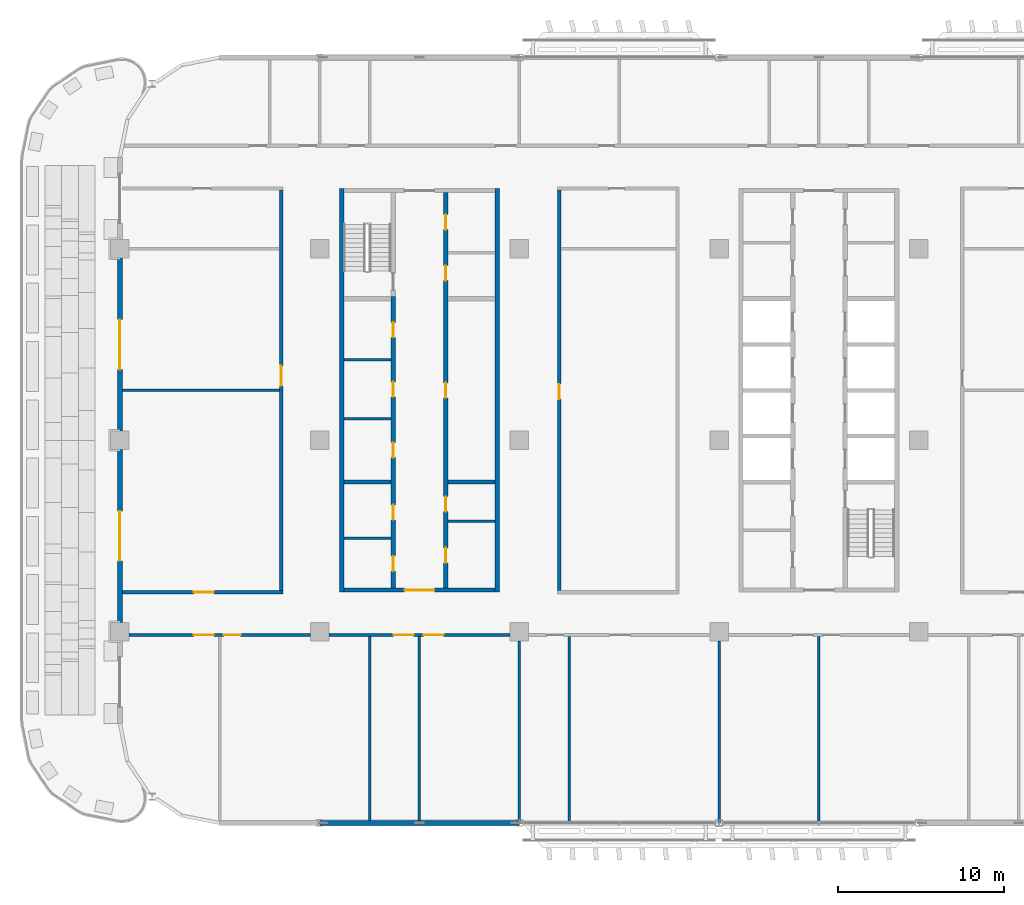
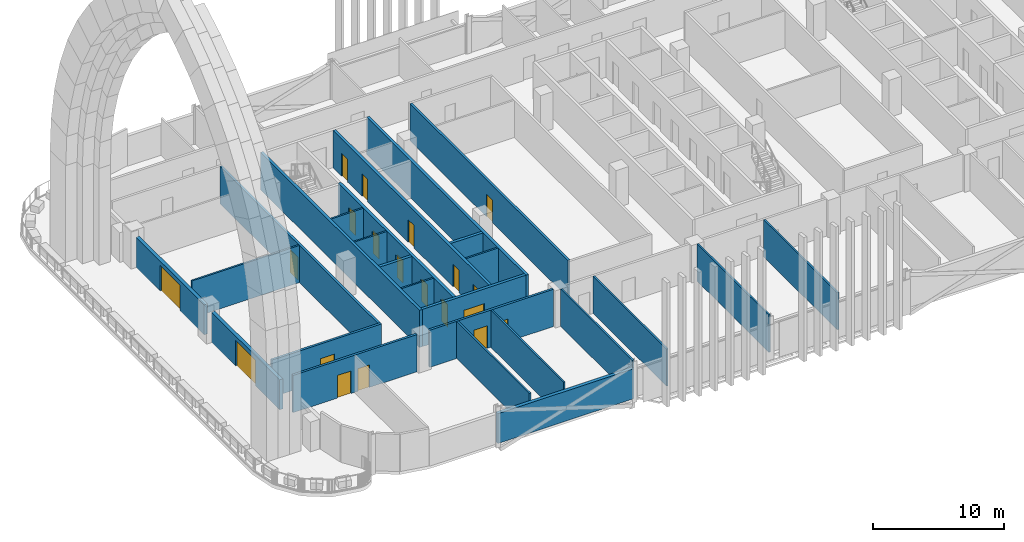
# One storey, part 9 of 28: 26 walls, 20 doors, 20 openings.
"""IFC4 building model written with IfcOpenShell, lengths in metres."""

from ifc_helpers import new_model, si_unit, direction, frame, frame_2d, origin, place, context, subcontext, project, spatial, rectangle, extrude, material, layer, layer_set, type_object, element, fill, save


model = new_model("IFC4")

# Units and contexts
model_context = context("Model", 3, precision=1e-05, world=origin(), true_north=direction((0.0, 1.0)))
body_context = subcontext(model_context, "Body", "Model", "MODEL_VIEW")
ifc_project = project(units=[si_unit("LENGTHUNIT", "METRE"), si_unit("AREAUNIT", "SQUARE_METRE"), si_unit("VOLUMEUNIT", "CUBIC_METRE"), si_unit("PLANEANGLEUNIT", "RADIAN"), si_unit("MASSUNIT", "GRAM", prefix="KILO")], contexts=[model_context])

# Site, building, storey
site_placement = place(None, origin())
site = spatial("IfcSite", under=ifc_project, at=site_placement, CompositionType="ELEMENT")
building_placement = place(site_placement, origin())
building = spatial("IfcBuilding", under=site, at=building_placement, Name="Mahtab Terrace Research Tower", CompositionType="ELEMENT")
storey_placement = place(building_placement, frame((0.0, 0.0, 193.89990234375)))
storey = spatial("IfcBuildingStorey", under=building, at=storey_placement, Name="L46", CompositionType="ELEMENT", Elevation=193.89990234375)

# Walls
ifc_material_1 = material(Name="Gypsum board partition")
ifc_layer_1 = layer(ifc_material_1, 0.14990234375)
ifc_layer_set_1 = layer_set([ifc_layer_1], Name="Core partition 150")
wall_type_1 = type_object("IfcWallType", Name="Core partition 150", PredefinedType="PARTITIONING", material=ifc_layer_set_1)
for number, where, z_axis, x_axis, name in (
    (1, (-28.550048828125, 1.280029296875, 0.0), (0.0, 0.0, 1.0), (1.0, 0.0, 0.0), "Core wall A pWL-172"),
    (2, (-28.550048828125, 4.827392578125, 0.0), (0.0, 0.0, 1.0), (1.0, 0.0, 0.0), "Core wall A pWL183"),
    (3, (-28.550048828125, -5.875, 0.0), (0.0, 0.0, 1.0), (1.0, 0.0, 0.0), "Core wall A pWS-888"),
    (4, (-22.300048828125, -4.875, 0.0), (0.0, 0.0, 1.0), (1.0, 0.0, 0.0), "Core wall A pES-788"),
):
    element("IfcWall", number, at=place(storey_placement, frame(where, z_axis=z_axis, x_axis=x_axis)), inside=storey, type_object=wall_type_1, Name=name, PredefinedType="PARTITIONING", context=body_context, shape_type="SweptSolid", body=[
        extrude(rectangle(XDim=2.85009765625, YDim=0.14990234375, at=frame_2d((1.425048828125, 0.0))), origin(), (0.0, 0.0, 1.0), 3.460205078125),
    ])
ifc_material_2 = material(Name="Concrete C70/85", Category="concrete")
ifc_layer_2 = layer(ifc_material_2, 0.25)
ifc_layer_set_2 = layer_set([ifc_layer_2], Name="Core wall 250")
wall_type_2 = type_object("IfcWallType", Name="Core wall 250", PredefinedType="SOLIDWALL", material=ifc_layer_set_2)
for number, where, z_axis, x_axis, name in (
    (5, (-28.675048828125, 15.125, 0.0), (0.0, 0.0, 1.0), (0.0, -1.0, 0.0), "Core wall A outerW"),
    (6, (-19.324951171875, -9.125, 0.0), (0.0, 0.0, 1.0), (0.0, 1.0, 0.0), "Core wall A outerE"),
):
    element("IfcWall", number, at=place(storey_placement, frame(where, z_axis=z_axis, x_axis=x_axis)), inside=storey, type_object=wall_type_2, Name=name, PredefinedType="SOLIDWALL", context=body_context, shape_type="SweptSolid", body=[
        extrude(rectangle(XDim=24.25, YDim=0.25, at=frame_2d((12.125, 0.0))), origin(), (0.0, 0.0, 1.0), 3.460205078125),
    ])

# Wall, opening, door
wall_1_placement = place(storey_placement, frame((-19.449951171875, -9.0, 0.0), z_axis=(0.0, 0.0, 1.0), x_axis=(-1.0, 0.0, 0.0)))
wall_1 = element("IfcWall", 7, at=wall_1_placement, inside=storey, type_object=wall_type_2, Name="Core wall A endS", PredefinedType="SOLIDWALL", context=body_context, shape_type="SweptSolid", body=[
    extrude(rectangle(XDim=9.10009765625, YDim=0.25, at=frame_2d((4.550048828125, 0.0))), origin(), (0.0, 0.0, 1.0), 3.460205078125),
])
opening_1_placement = place(wall_1_placement, frame((3.64990234375, 0.0, 0.0)))
opening_1 = element("IfcOpeningElement", 8, at=opening_1_placement, cuts=wall_1, Name="Opening A-S1", PredefinedType="OPENING", context=body_context, shape_type="SweptSolid", body=[
    extrude(rectangle(XDim=1.800048828125, YDim=2.10009765625, at=frame_2d((0.89990234375, 1.050048828125))), frame((0.0, 0.135009765625, 0.0), z_axis=(0.0, -1.0, 0.0), x_axis=(1.0, 0.0, 0.0)), (0.0, 0.0, 1.0), 0.27001953125),
])
ifc_material_3 = material(Name="Steel fire door", Category="steel")
door_type_1 = type_object("IfcDoorType", Name="Lobby double door 1800x2100 1 HR", OperationType="DOUBLE_DOOR_SINGLE_SWING", PredefinedType="DOOR", material=ifc_material_3)
door_1_placement = place(opening_1_placement, origin())
door_1 = element("IfcDoor", 9, at=door_1_placement, inside=storey, type_object=door_type_1, Name="Core entrance door A S", OperationType="DOUBLE_DOOR_SINGLE_SWING", OverallHeight=2.10009765625, OverallWidth=1.800048828125, PredefinedType="DOOR", context=body_context, shape_type="SweptSolid", body=[
    extrude(rectangle(XDim=1.800048828125, YDim=2.10009765625, at=frame_2d((0.89990234375, 1.050048828125))), frame((0.0, 0.02490234375, 0.0), z_axis=(0.0, -1.0, 0.0), x_axis=(1.0, 0.0, 0.0)), (0.0, 0.0, 1.0), 0.050048828125),
])
fill(opening_1, door_1)

# Wall, openings, doors
wall_2_placement = place(storey_placement, frame((-25.574951171875, -8.875, 0.0), z_axis=(0.0, 0.0, 1.0), x_axis=(0.0, 1.0, 0.0)))
wall_2 = element("IfcWall", 10, at=wall_2_placement, inside=storey, type_object=wall_type_2, Name="Core wall A innerWSL", PredefinedType="SOLIDWALL", context=body_context, shape_type="SweptSolid", body=[
    extrude(rectangle(XDim=17.5, YDim=0.25, at=frame_2d((8.75, 0.0))), origin(), (0.0, 0.0, 1.0), 3.460205078125),
])
opening_2_placement = place(wall_2_placement, frame((7.840087890625, 0.0, 0.0)))
opening_2 = element("IfcOpeningElement", 11, at=opening_2_placement, cuts=wall_2, Name="Opening A-R1", PredefinedType="OPENING", context=body_context, shape_type="SweptSolid", body=[
    extrude(rectangle(XDim=0.89990234375, YDim=2.10009765625, at=frame_2d((0.449951171875, 1.050048828125))), frame((0.0, 0.135009765625, 0.0), z_axis=(0.0, -1.0, 0.0), x_axis=(1.0, 0.0, 0.0)), (0.0, 0.0, 1.0), 0.27001953125),
])
opening_3_placement = place(wall_2_placement, frame((11.478759765625, 0.0, 0.0)))
opening_3 = element("IfcOpeningElement", 12, at=opening_3_placement, cuts=wall_2, Name="Opening A-R2", PredefinedType="OPENING", context=body_context, shape_type="SweptSolid", body=[
    extrude(rectangle(XDim=0.89990234375, YDim=2.10009765625, at=frame_2d((0.449951171875, 1.050048828125))), frame((0.0, 0.135009765625, 0.0), z_axis=(0.0, -1.0, 0.0), x_axis=(1.0, 0.0, 0.0)), (0.0, 0.0, 1.0), 0.27001953125),
])
opening_4_placement = place(wall_2_placement, frame((15.063720703125, 0.0, 0.0)))
opening_4 = element("IfcOpeningElement", 13, at=opening_4_placement, cuts=wall_2, Name="Opening A-R3", PredefinedType="OPENING", context=body_context, shape_type="SweptSolid", body=[
    extrude(rectangle(XDim=0.89990234375, YDim=2.10009765625, at=frame_2d((0.449951171875, 1.050048828125))), frame((0.0, 0.135009765625, 0.0), z_axis=(0.0, -1.0, 0.0), x_axis=(1.0, 0.0, 0.0)), (0.0, 0.0, 1.0), 0.27001953125),
])
opening_5_placement = place(wall_2_placement, frame((1.012451171875, 0.0, 0.0)))
opening_5 = element("IfcOpeningElement", 14, at=opening_5_placement, cuts=wall_2, Name="Opening A-R5", PredefinedType="OPENING", context=body_context, shape_type="SweptSolid", body=[
    extrude(rectangle(XDim=0.89990234375, YDim=2.10009765625, at=frame_2d((0.449951171875, 1.050048828125))), frame((0.0, 0.135009765625, 0.0), z_axis=(0.0, -1.0, 0.0), x_axis=(1.0, 0.0, 0.0)), (0.0, 0.0, 1.0), 0.27001953125),
])
opening_6_placement = place(wall_2_placement, frame((4.08740234375, 0.0, 0.0)))
opening_6 = element("IfcOpeningElement", 15, at=opening_6_placement, cuts=wall_2, Name="Opening A-R6", PredefinedType="OPENING", context=body_context, shape_type="SweptSolid", body=[
    extrude(rectangle(XDim=0.89990234375, YDim=2.10009765625, at=frame_2d((0.449951171875, 1.050048828125))), frame((0.0, 0.135009765625, 0.0), z_axis=(0.0, -1.0, 0.0), x_axis=(1.0, 0.0, 0.0)), (0.0, 0.0, 1.0), 0.27001953125),
])
door_type_2 = type_object("IfcDoorType", Name="Room door 900x2100 1 HR", OperationType="NOTDEFINED", PredefinedType="DOOR", material=ifc_material_3)
door_2_placement = place(opening_2_placement, origin())
door_2 = element("IfcDoor", 16, at=door_2_placement, inside=storey, type_object=door_type_2, Name="Battery room door", OperationType="SINGLE_SWING_LEFT", OverallHeight=2.10009765625, OverallWidth=0.89990234375, PredefinedType="DOOR", context=body_context, shape_type="SweptSolid", body=[
    extrude(rectangle(XDim=0.89990234375, YDim=2.10009765625, at=frame_2d((0.449951171875, 1.050048828125))), frame((0.0, 0.02490234375, 0.0), z_axis=(0.0, -1.0, 0.0), x_axis=(1.0, 0.0, 0.0)), (0.0, 0.0, 1.0), 0.050048828125),
])
fill(opening_2, door_2)
door_3_placement = place(opening_3_placement, origin())
door_3 = element("IfcDoor", 17, at=door_3_placement, inside=storey, type_object=door_type_2, Name="Cooling plant room door", OperationType="SINGLE_SWING_RIGHT", OverallHeight=2.10009765625, OverallWidth=0.89990234375, PredefinedType="DOOR", context=body_context, shape_type="SweptSolid", body=[
    extrude(rectangle(XDim=0.89990234375, YDim=2.10009765625, at=frame_2d((0.449951171875, 1.050048828125))), frame((0.0, 0.02490234375, 0.0), z_axis=(0.0, -1.0, 0.0), x_axis=(1.0, 0.0, 0.0)), (0.0, 0.0, 1.0), 0.050048828125),
])
fill(opening_3, door_3)
door_4_placement = place(opening_4_placement, origin())
door_4 = element("IfcDoor", 18, at=door_4_placement, inside=storey, type_object=door_type_2, Name="Spare parts store door", OperationType="SINGLE_SWING_LEFT", OverallHeight=2.10009765625, OverallWidth=0.89990234375, PredefinedType="DOOR", context=body_context, shape_type="SweptSolid", body=[
    extrude(rectangle(XDim=0.89990234375, YDim=2.10009765625, at=frame_2d((0.449951171875, 1.050048828125))), frame((0.0, 0.02490234375, 0.0), z_axis=(0.0, -1.0, 0.0), x_axis=(1.0, 0.0, 0.0)), (0.0, 0.0, 1.0), 0.050048828125),
])
fill(opening_4, door_4)
door_5_placement = place(opening_5_placement, origin())
door_5 = element("IfcDoor", 19, at=door_5_placement, inside=storey, type_object=door_type_2, Name="Staff WC door", OperationType="SINGLE_SWING_LEFT", OverallHeight=2.10009765625, OverallWidth=0.89990234375, PredefinedType="DOOR", context=body_context, shape_type="SweptSolid", body=[
    extrude(rectangle(XDim=0.89990234375, YDim=2.10009765625, at=frame_2d((0.449951171875, 1.050048828125))), frame((0.0, 0.02490234375, 0.0), z_axis=(0.0, -1.0, 0.0), x_axis=(1.0, 0.0, 0.0)), (0.0, 0.0, 1.0), 0.050048828125),
])
fill(opening_5, door_5)
door_6_placement = place(opening_6_placement, origin())
door_6 = element("IfcDoor", 20, at=door_6_placement, inside=storey, type_object=door_type_2, Name="Accessible WC door", OperationType="SINGLE_SWING_RIGHT", OverallHeight=2.10009765625, OverallWidth=0.89990234375, PredefinedType="DOOR", context=body_context, shape_type="SweptSolid", body=[
    extrude(rectangle(XDim=0.89990234375, YDim=2.10009765625, at=frame_2d((0.449951171875, 1.050048828125))), frame((0.0, 0.02490234375, 0.0), z_axis=(0.0, -1.0, 0.0), x_axis=(1.0, 0.0, 0.0)), (0.0, 0.0, 1.0), 0.050048828125),
])
fill(opening_6, door_6)

wall_3_placement = place(storey_placement, frame((-22.425048828125, 14.875, 0.0), z_axis=(0.0, 0.0, 1.0), x_axis=(0.0, -1.0, 0.0)))
wall_3 = element("IfcWall", 21, at=wall_3_placement, inside=storey, type_object=wall_type_2, Name="Core wall A innerESLN", PredefinedType="SOLIDWALL", context=body_context, shape_type="SweptSolid", body=[
    extrude(rectangle(XDim=23.75, YDim=0.25, at=frame_2d((11.875, 0.0))), origin(), (0.0, 0.0, 1.0), 3.460205078125),
])
opening_7_placement = place(wall_3_placement, frame((11.425048828125, 0.0, 0.0)))
opening_7 = element("IfcOpeningElement", 22, at=opening_7_placement, cuts=wall_3, Name="Opening A-R4", PredefinedType="OPENING", context=body_context, shape_type="SweptSolid", body=[
    extrude(rectangle(XDim=0.89990234375, YDim=2.10009765625, at=frame_2d((0.449951171875, 1.050048828125))), frame((0.0, 0.135009765625, 0.0), z_axis=(0.0, -1.0, 0.0), x_axis=(1.0, 0.0, 0.0)), (0.0, 0.0, 1.0), 0.27001953125),
])
opening_8_placement = place(wall_3_placement, frame((21.33740234375, 0.0, 0.0)))
opening_8 = element("IfcOpeningElement", 23, at=opening_8_placement, cuts=wall_3, Name="Opening A-R7", PredefinedType="OPENING", context=body_context, shape_type="SweptSolid", body=[
    extrude(rectangle(XDim=0.89990234375, YDim=2.10009765625, at=frame_2d((0.449951171875, 1.050048828125))), frame((0.0, 0.135009765625, 0.0), z_axis=(0.0, -1.0, 0.0), x_axis=(1.0, 0.0, 0.0)), (0.0, 0.0, 1.0), 0.27001953125),
])
opening_9_placement = place(wall_3_placement, frame((18.262451171875, 0.0, 0.0)))
opening_9 = element("IfcOpeningElement", 24, at=opening_9_placement, cuts=wall_3, Name="Opening A-R8", PredefinedType="OPENING", context=body_context, shape_type="SweptSolid", body=[
    extrude(rectangle(XDim=0.89990234375, YDim=2.10009765625, at=frame_2d((0.449951171875, 1.050048828125))), frame((0.0, 0.135009765625, 0.0), z_axis=(0.0, -1.0, 0.0), x_axis=(1.0, 0.0, 0.0)), (0.0, 0.0, 1.0), 0.27001953125),
])
opening_10_placement = place(wall_3_placement, frame((4.387451171875, 0.0, 0.0)))
opening_10 = element("IfcOpeningElement", 25, at=opening_10_placement, cuts=wall_3, Name="Opening A-R9", PredefinedType="OPENING", context=body_context, shape_type="SweptSolid", body=[
    extrude(rectangle(XDim=0.89990234375, YDim=2.10009765625, at=frame_2d((0.449951171875, 1.050048828125))), frame((0.0, 0.135009765625, 0.0), z_axis=(0.0, -1.0, 0.0), x_axis=(1.0, 0.0, 0.0)), (0.0, 0.0, 1.0), 0.27001953125),
])
opening_11_placement = place(wall_3_placement, frame((1.3125, 0.0, 0.0)))
opening_11 = element("IfcOpeningElement", 26, at=opening_11_placement, cuts=wall_3, Name="Opening A-R10", PredefinedType="OPENING", context=body_context, shape_type="SweptSolid", body=[
    extrude(rectangle(XDim=0.89990234375, YDim=2.10009765625, at=frame_2d((0.449951171875, 1.050048828125))), frame((0.0, 0.135009765625, 0.0), z_axis=(0.0, -1.0, 0.0), x_axis=(1.0, 0.0, 0.0)), (0.0, 0.0, 1.0), 0.27001953125),
])
door_7_placement = place(opening_7_placement, origin())
door_7 = element("IfcDoor", 27, at=door_7_placement, inside=storey, type_object=door_type_2, Name="Plant room door", OperationType="SINGLE_SWING_RIGHT", OverallHeight=2.10009765625, OverallWidth=0.89990234375, PredefinedType="DOOR", context=body_context, shape_type="SweptSolid", body=[
    extrude(rectangle(XDim=0.89990234375, YDim=2.10009765625, at=frame_2d((0.449951171875, 1.050048828125))), frame((0.0, 0.02490234375, 0.0), z_axis=(0.0, -1.0, 0.0), x_axis=(1.0, 0.0, 0.0)), (0.0, 0.0, 1.0), 0.050048828125),
])
fill(opening_7, door_7)
door_8_placement = place(opening_8_placement, origin())
door_8 = element("IfcDoor", 28, at=door_8_placement, inside=storey, type_object=door_type_2, Name="IT equipment room door", OperationType="SINGLE_SWING_LEFT", OverallHeight=2.10009765625, OverallWidth=0.89990234375, PredefinedType="DOOR", context=body_context, shape_type="SweptSolid", body=[
    extrude(rectangle(XDim=0.89990234375, YDim=2.10009765625, at=frame_2d((0.449951171875, 1.050048828125))), frame((0.0, 0.02490234375, 0.0), z_axis=(0.0, -1.0, 0.0), x_axis=(1.0, 0.0, 0.0)), (0.0, 0.0, 1.0), 0.050048828125),
])
fill(opening_8, door_8)
door_9_placement = place(opening_9_placement, origin())
door_9 = element("IfcDoor", 29, at=door_9_placement, inside=storey, type_object=door_type_2, Name="Electrical riser room door", OperationType="SINGLE_SWING_RIGHT", OverallHeight=2.10009765625, OverallWidth=0.89990234375, PredefinedType="DOOR", context=body_context, shape_type="SweptSolid", body=[
    extrude(rectangle(XDim=0.89990234375, YDim=2.10009765625, at=frame_2d((0.449951171875, 1.050048828125))), frame((0.0, 0.02490234375, 0.0), z_axis=(0.0, -1.0, 0.0), x_axis=(1.0, 0.0, 0.0)), (0.0, 0.0, 1.0), 0.050048828125),
])
fill(opening_9, door_9)
door_10_placement = place(opening_10_placement, origin())
door_10 = element("IfcDoor", 30, at=door_10_placement, inside=storey, type_object=door_type_2, Name="Mechanical riser room door", OperationType="SINGLE_SWING_LEFT", OverallHeight=2.10009765625, OverallWidth=0.89990234375, PredefinedType="DOOR", context=body_context, shape_type="SweptSolid", body=[
    extrude(rectangle(XDim=0.89990234375, YDim=2.10009765625, at=frame_2d((0.449951171875, 1.050048828125))), frame((0.0, 0.02490234375, 0.0), z_axis=(0.0, -1.0, 0.0), x_axis=(1.0, 0.0, 0.0)), (0.0, 0.0, 1.0), 0.050048828125),
])
fill(opening_10, door_10)
door_11_placement = place(opening_11_placement, origin())
door_11 = element("IfcDoor", 31, at=door_11_placement, inside=storey, type_object=door_type_2, Name="Chemical store door", OperationType="SINGLE_SWING_RIGHT", OverallHeight=2.10009765625, OverallWidth=0.89990234375, PredefinedType="DOOR", context=body_context, shape_type="SweptSolid", body=[
    extrude(rectangle(XDim=0.89990234375, YDim=2.10009765625, at=frame_2d((0.449951171875, 1.050048828125))), frame((0.0, 0.02490234375, 0.0), z_axis=(0.0, -1.0, 0.0), x_axis=(1.0, 0.0, 0.0)), (0.0, 0.0, 1.0), 0.050048828125),
])
fill(opening_11, door_11)

# Walls
for number, where, z_axis, x_axis, name in (
    (32, (-28.550048828125, -2.5, 0.0), (0.0, 0.0, 1.0), (1.0, 0.0, 0.0), "Core wall A divW0"),
    (33, (-22.300048828125, -2.5, 0.0), (0.0, 0.0, 1.0), (1.0, 0.0, 0.0), "Core wall A divE0"),
):
    element("IfcWall", number, at=place(storey_placement, frame(where, z_axis=z_axis, x_axis=x_axis)), inside=storey, type_object=wall_type_2, Name=name, PredefinedType="SOLIDWALL", context=body_context, shape_type="SweptSolid", body=[
        extrude(rectangle(XDim=2.85009765625, YDim=0.25, at=frame_2d((1.425048828125, 0.0))), origin(), (0.0, 0.0, 1.0), 3.460205078125),
    ])

# Wall, opening, door
ifc_material_4 = material(Name="Black aluminium cladding panel", Category="aluminium")
ifc_layer_3 = layer(ifc_material_4, 0.300048828125)
ifc_layer_set_3 = layer_set([ifc_layer_3], Name="Opaque facade wall 300")
wall_type_3 = type_object("IfcWallType", Name="Opaque facade wall 300", PredefinedType="NOTDEFINED", material=ifc_layer_set_3)
wall_4_placement = place(storey_placement, frame((-42.0, 10.949951171875, 0.0), z_axis=(0.0, 0.0, 1.0), x_axis=(0.0, -1.0, 0.0)))
wall_4 = element("IfcWall", 34, at=wall_4_placement, inside=storey, type_object=wall_type_3, Name="Opaque facade wall L46 W16", PredefinedType="NOTDEFINED", context=body_context, shape_type="SweptSolid", body=[
    extrude(rectangle(XDim=10.39990234375, YDim=0.300048828125, at=frame_2d((5.199951171875, 0.0))), origin(), (0.0, 0.0, 1.0), 2.781982421875),
])
opening_12_placement = place(wall_4_placement, frame((3.699951171875, 0.0, 0.0)))
opening_12 = element("IfcOpeningElement", 35, at=opening_12_placement, cuts=wall_4, Name="Opening ED1", PredefinedType="OPENING", context=body_context, shape_type="SweptSolid", body=[
    extrude(rectangle(XDim=3.0, YDim=2.39990234375, at=frame_2d((1.5, 1.199951171875))), frame((0.0, 0.159912109375, 0.0), z_axis=(0.0, -1.0, 0.0), x_axis=(1.0, 0.0, 0.0)), (0.0, 0.0, 1.0), 0.320068359375),
])
ifc_material_5 = material(Name="Black anodised aluminium", Category="aluminium")
door_type_3 = type_object("IfcDoorType", Name="Terrace double door 3000x2400", OperationType="DOUBLE_DOOR_DOUBLE_SWING", PredefinedType="DOOR", material=ifc_material_5)
door_12_placement = place(opening_12_placement, origin())
door_12 = element("IfcDoor", 36, at=door_12_placement, inside=storey, type_object=door_type_3, Name="Terrace door L46 W", OperationType="SINGLE_SWING_LEFT", OverallHeight=2.39990234375, OverallWidth=3.0, PredefinedType="DOOR", context=body_context, shape_type="SweptSolid", body=[
    extrude(rectangle(XDim=3.0, YDim=2.39990234375, at=frame_2d((1.5, 1.199951171875))), frame((0.0, 0.02490234375, 0.0), z_axis=(0.0, -1.0, 0.0), x_axis=(1.0, 0.0, 0.0)), (0.0, 0.0, 1.0), 0.050048828125),
])
fill(opening_12, door_12)

wall_5_placement = place(storey_placement, frame((-42.0, -0.550048828125, 0.0), z_axis=(0.0, 0.0, 1.0), x_axis=(0.0, -1.0, 0.0)))
wall_5 = element("IfcWall", 37, at=wall_5_placement, inside=storey, type_object=wall_type_3, Name="Opaque facade wall L46 W17", PredefinedType="NOTDEFINED", context=body_context, shape_type="SweptSolid", body=[
    extrude(rectangle(XDim=10.39990234375, YDim=0.300048828125, at=frame_2d((5.199951171875, 0.0))), origin(), (0.0, 0.0, 1.0), 2.781982421875),
])
opening_13_placement = place(wall_5_placement, frame((3.699951171875, 0.0, 0.0)))
opening_13 = element("IfcOpeningElement", 38, at=opening_13_placement, cuts=wall_5, Name="Opening ED1", PredefinedType="OPENING", context=body_context, shape_type="SweptSolid", body=[
    extrude(rectangle(XDim=3.0, YDim=2.39990234375, at=frame_2d((1.5, 1.199951171875))), frame((0.0, 0.159912109375, 0.0), z_axis=(0.0, -1.0, 0.0), x_axis=(1.0, 0.0, 0.0)), (0.0, 0.0, 1.0), 0.320068359375),
])
door_13_placement = place(opening_13_placement, origin())
door_13 = element("IfcDoor", 39, at=door_13_placement, inside=storey, type_object=door_type_3, Name="Terrace door L46 W", OperationType="SINGLE_SWING_LEFT", OverallHeight=2.39990234375, OverallWidth=3.0, PredefinedType="DOOR", context=body_context, shape_type="SweptSolid", body=[
    extrude(rectangle(XDim=3.0, YDim=2.39990234375, at=frame_2d((1.5, 1.199951171875))), frame((0.0, 0.02490234375, 0.0), z_axis=(0.0, -1.0, 0.0), x_axis=(1.0, 0.0, 0.0)), (0.0, 0.0, 1.0), 0.050048828125),
])
fill(opening_13, door_13)

# Wall
wall_6_placement = place(storey_placement, frame((-29.987548828125, -23.0, 0.0), z_axis=(0.0, 0.0, 1.0), x_axis=(1.0, 0.0, 0.0)))
element("IfcWall", 40, at=wall_6_placement, inside=storey, type_object=wall_type_3, Name="Opaque facade wall L46 S24", PredefinedType="NOTDEFINED", context=body_context, shape_type="SweptSolid", body=[
    extrude(rectangle(XDim=11.97509765625, YDim=0.300048828125, at=frame_2d((5.987548828125, 0.0))), origin(), (0.0, 0.0, 1.0), 2.781982421875),
])

# Wall, openings, doors
ifc_material_6 = material(Name="Gypsum board corridor wall on steel studs", Category="steel")
ifc_layer_4 = layer(ifc_material_6, 0.199951171875)
ifc_layer_set_4 = layer_set([ifc_layer_4], Name="WALL CORRIDOR 200")
wall_type_4 = type_object("IfcWallType", Name="WALL CORRIDOR 200", PredefinedType="PARTITIONING", material=ifc_layer_set_4)
wall_7_placement = place(storey_placement, frame((-41.449951171875, -11.699951171875, 0.0), z_axis=(0.0, 0.0, 1.0), x_axis=(1.0, 0.0, 0.0)))
wall_7 = element("IfcWall", 41, at=wall_7_placement, inside=storey, type_object=wall_type_4, Name="L46-W001", PredefinedType="PARTITIONING", context=body_context, shape_type="SweptSolid", body=[
    extrude(rectangle(XDim=10.89990234375, YDim=0.199951171875, at=frame_2d((5.449951171875, 0.0))), origin(), (0.0, 0.0, 1.0), 3.460205078125),
])
opening_14_placement = place(wall_7_placement, frame((3.89990234375, 0.0, 0.0)))
opening_14 = element("IfcOpeningElement", 42, at=opening_14_placement, cuts=wall_7, Name="Opening L46-101", PredefinedType="OPENING", context=body_context, shape_type="SweptSolid", body=[
    extrude(rectangle(XDim=1.199951171875, YDim=2.10009765625, at=frame_2d((0.60009765625, 1.050048828125))), frame((0.0, 0.10986328125, 0.0), z_axis=(0.0, -1.0, 0.0), x_axis=(1.0, 0.0, 0.0)), (0.0, 0.0, 1.0), 0.219970703125),
])
opening_15_placement = place(wall_7_placement, frame((5.699951171875, 0.0, 0.0)))
opening_15 = element("IfcOpeningElement", 43, at=opening_15_placement, cuts=wall_7, Name="Opening L46-102", PredefinedType="OPENING", context=body_context, shape_type="SweptSolid", body=[
    extrude(rectangle(XDim=1.0, YDim=2.10009765625, at=frame_2d((0.5, 1.050048828125))), frame((0.0, 0.10986328125, 0.0), z_axis=(0.0, -1.0, 0.0), x_axis=(1.0, 0.0, 0.0)), (0.0, 0.0, 1.0), 0.219970703125),
])
ifc_material_7 = material(Name="Timber door leaf in steel frame", Category="steel")
door_type_4 = type_object("IfcDoorType", Name="DOOR 1000X2100 FD30S", OperationType="SINGLE_SWING_LEFT", PredefinedType="DOOR", material=ifc_material_7)
door_14_placement = place(opening_15_placement, origin())
door_14 = element("IfcDoor", 44, at=door_14_placement, inside=storey, type_object=door_type_4, Name="Door L46-102", OperationType="SINGLE_SWING_LEFT", OverallHeight=2.10009765625, OverallWidth=1.0, PredefinedType="DOOR", context=body_context, shape_type="SweptSolid", body=[
    extrude(rectangle(XDim=1.0, YDim=2.10009765625, at=frame_2d((0.5, 1.050048828125))), frame((0.0, 0.02490234375, 0.0), z_axis=(0.0, -1.0, 0.0), x_axis=(1.0, 0.0, 0.0)), (0.0, 0.0, 1.0), 0.050048828125),
])
fill(opening_15, door_14)
door_type_5 = type_object("IfcDoorType", Name="DOOR 1200X2100 FD30S", OperationType="SINGLE_SWING_LEFT", PredefinedType="DOOR", material=ifc_material_7)
door_15_placement = place(opening_14_placement, origin())
door_15 = element("IfcDoor", 45, at=door_15_placement, inside=storey, type_object=door_type_5, Name="Door L46-101", OperationType="SINGLE_SWING_RIGHT", OverallHeight=2.10009765625, OverallWidth=1.199951171875, PredefinedType="DOOR", context=body_context, shape_type="SweptSolid", body=[
    extrude(rectangle(XDim=1.199951171875, YDim=2.10009765625, at=frame_2d((0.60009765625, 1.050048828125))), frame((0.0, 0.02490234375, 0.0), z_axis=(0.0, -1.0, 0.0), x_axis=(1.0, 0.0, 0.0)), (0.0, 0.0, 1.0), 0.050048828125),
])
fill(opening_14, door_15)

wall_8_placement = place(storey_placement, frame((-29.449951171875, -11.699951171875, 0.0), z_axis=(0.0, 0.0, 1.0), x_axis=(1.0, 0.0, 0.0)))
wall_8 = element("IfcWall", 46, at=wall_8_placement, inside=storey, type_object=wall_type_4, Name="L46-W002", PredefinedType="PARTITIONING", context=body_context, shape_type="SweptSolid", body=[
    extrude(rectangle(XDim=10.89990234375, YDim=0.199951171875, at=frame_2d((5.449951171875, 0.0))), origin(), (0.0, 0.0, 1.0), 3.460205078125),
])
opening_16_placement = place(wall_8_placement, frame((3.89990234375, 0.0, 0.0)))
opening_16 = element("IfcOpeningElement", 47, at=opening_16_placement, cuts=wall_8, Name="Opening L46-103", PredefinedType="OPENING", context=body_context, shape_type="SweptSolid", body=[
    extrude(rectangle(XDim=1.199951171875, YDim=2.10009765625, at=frame_2d((0.60009765625, 1.050048828125))), frame((0.0, 0.10986328125, 0.0), z_axis=(0.0, -1.0, 0.0), x_axis=(1.0, 0.0, 0.0)), (0.0, 0.0, 1.0), 0.219970703125),
])
opening_17_placement = place(wall_8_placement, frame((5.699951171875, 0.0, 0.0)))
opening_17 = element("IfcOpeningElement", 48, at=opening_17_placement, cuts=wall_8, Name="Opening L46-104", PredefinedType="OPENING", context=body_context, shape_type="SweptSolid", body=[
    extrude(rectangle(XDim=1.199951171875, YDim=2.10009765625, at=frame_2d((0.60009765625, 1.050048828125))), frame((0.0, 0.10986328125, 0.0), z_axis=(0.0, -1.0, 0.0), x_axis=(1.0, 0.0, 0.0)), (0.0, 0.0, 1.0), 0.219970703125),
])
door_16_placement = place(opening_16_placement, origin())
door_16 = element("IfcDoor", 49, at=door_16_placement, inside=storey, type_object=door_type_5, Name="Door L46-103", OperationType="SINGLE_SWING_RIGHT", OverallHeight=2.10009765625, OverallWidth=1.199951171875, PredefinedType="DOOR", context=body_context, shape_type="SweptSolid", body=[
    extrude(rectangle(XDim=1.199951171875, YDim=2.10009765625, at=frame_2d((0.60009765625, 1.050048828125))), frame((0.0, 0.02490234375, 0.0), z_axis=(0.0, -1.0, 0.0), x_axis=(1.0, 0.0, 0.0)), (0.0, 0.0, 1.0), 0.050048828125),
])
fill(opening_16, door_16)
door_17_placement = place(opening_17_placement, origin())
door_17 = element("IfcDoor", 50, at=door_17_placement, inside=storey, type_object=door_type_5, Name="Door L46-104", OperationType="SINGLE_SWING_LEFT", OverallHeight=2.10009765625, OverallWidth=1.199951171875, PredefinedType="DOOR", context=body_context, shape_type="SweptSolid", body=[
    extrude(rectangle(XDim=1.199951171875, YDim=2.10009765625, at=frame_2d((0.60009765625, 1.050048828125))), frame((0.0, 0.02490234375, 0.0), z_axis=(0.0, -1.0, 0.0), x_axis=(1.0, 0.0, 0.0)), (0.0, 0.0, 1.0), 0.050048828125),
])
fill(opening_17, door_17)

# Wall, opening, door
wall_9_placement = place(storey_placement, frame((-41.85009765625, -9.125, 0.0), z_axis=(0.0, 0.0, 1.0), x_axis=(1.0, 0.0, 0.0)))
wall_9 = element("IfcWall", 51, at=wall_9_placement, inside=storey, type_object=wall_type_4, Name="L46-W009", PredefinedType="PARTITIONING", context=body_context, shape_type="SweptSolid", body=[
    extrude(rectangle(XDim=9.650146484375, YDim=0.199951171875, at=frame_2d((4.8251953125, 0.0))), origin(), (0.0, 0.0, 1.0), 3.460205078125),
])
opening_18_placement = place(wall_9_placement, frame((4.300048828125, 0.0, 0.0)))
opening_18 = element("IfcOpeningElement", 52, at=opening_18_placement, cuts=wall_9, Name="Opening L46-117", PredefinedType="OPENING", context=body_context, shape_type="SweptSolid", body=[
    extrude(rectangle(XDim=1.199951171875, YDim=2.10009765625, at=frame_2d((0.60009765625, 1.050048828125))), frame((0.0, 0.10986328125, 0.0), z_axis=(0.0, -1.0, 0.0), x_axis=(1.0, 0.0, 0.0)), (0.0, 0.0, 1.0), 0.219970703125),
])
door_18_placement = place(opening_18_placement, origin())
door_18 = element("IfcDoor", 53, at=door_18_placement, inside=storey, type_object=door_type_5, Name="Door L46-117", OperationType="SINGLE_SWING_RIGHT", OverallHeight=2.10009765625, OverallWidth=1.199951171875, PredefinedType="DOOR", context=body_context, shape_type="SweptSolid", body=[
    extrude(rectangle(XDim=1.199951171875, YDim=2.10009765625, at=frame_2d((0.60009765625, 1.050048828125))), frame((0.0, 0.02490234375, 0.0), z_axis=(0.0, -1.0, 0.0), x_axis=(1.0, 0.0, 0.0)), (0.0, 0.0, 1.0), 0.050048828125),
])
fill(opening_18, door_18)

wall_10_placement = place(storey_placement, frame((-32.300048828125, -9.02490234375, 0.0), z_axis=(0.0, 0.0, 1.0), x_axis=(0.0, 1.0, 0.0)))
wall_10 = element("IfcWall", 54, at=wall_10_placement, inside=storey, type_object=wall_type_4, Name="L46-W027", PredefinedType="PARTITIONING", context=body_context, shape_type="SweptSolid", body=[
    extrude(rectangle(XDim=24.0498046875, YDim=0.199951171875, at=frame_2d((12.02490234375, 0.0))), origin(), (0.0, 0.0, 1.0), 3.460205078125),
])
opening_19_placement = place(wall_10_placement, frame((12.300048828125, 0.0, 0.0)))
opening_19 = element("IfcOpeningElement", 55, at=opening_19_placement, cuts=wall_10, Name="Opening L46-121", PredefinedType="OPENING", context=body_context, shape_type="SweptSolid", body=[
    extrude(rectangle(XDim=1.199951171875, YDim=2.10009765625, at=frame_2d((0.60009765625, 1.050048828125))), frame((0.0, 0.10986328125, 0.0), z_axis=(0.0, -1.0, 0.0), x_axis=(1.0, 0.0, 0.0)), (0.0, 0.0, 1.0), 0.219970703125),
])
door_19_placement = place(opening_19_placement, origin())
door_19 = element("IfcDoor", 56, at=door_19_placement, inside=storey, type_object=door_type_5, Name="Door L46-121", OperationType="SINGLE_SWING_RIGHT", OverallHeight=2.10009765625, OverallWidth=1.199951171875, PredefinedType="DOOR", context=body_context, shape_type="SweptSolid", body=[
    extrude(rectangle(XDim=1.199951171875, YDim=2.10009765625, at=frame_2d((0.60009765625, 1.050048828125))), frame((0.0, 0.02490234375, 0.0), z_axis=(0.0, -1.0, 0.0), x_axis=(1.0, 0.0, 0.0)), (0.0, 0.0, 1.0), 0.050048828125),
])
fill(opening_19, door_19)

wall_11_placement = place(storey_placement, frame((-15.60009765625, -9.02490234375, 0.0), z_axis=(0.0, 0.0, 1.0), x_axis=(0.0, 1.0, 0.0)))
wall_11 = element("IfcWall", 57, at=wall_11_placement, inside=storey, type_object=wall_type_4, Name="L46-W034", PredefinedType="PARTITIONING", context=body_context, shape_type="SweptSolid", body=[
    extrude(rectangle(XDim=24.0498046875, YDim=0.199951171875, at=frame_2d((12.02490234375, 0.0))), origin(), (0.0, 0.0, 1.0), 3.460205078125),
])
opening_20_placement = place(wall_11_placement, frame((11.5, 0.0, 0.0)))
opening_20 = element("IfcOpeningElement", 58, at=opening_20_placement, cuts=wall_11, Name="Opening L46-119", PredefinedType="OPENING", context=body_context, shape_type="SweptSolid", body=[
    extrude(rectangle(XDim=0.89990234375, YDim=2.10009765625, at=frame_2d((0.449951171875, 1.050048828125))), frame((0.0, 0.10986328125, 0.0), z_axis=(0.0, -1.0, 0.0), x_axis=(1.0, 0.0, 0.0)), (0.0, 0.0, 1.0), 0.219970703125),
])
door_type_6 = type_object("IfcDoorType", Name="DOOR 0900X2100 FD30S", OperationType="SINGLE_SWING_LEFT", PredefinedType="DOOR", material=ifc_material_7)
door_20_placement = place(opening_20_placement, origin())
door_20 = element("IfcDoor", 59, at=door_20_placement, inside=storey, type_object=door_type_6, Name="Door L46-119", OperationType="SINGLE_SWING_RIGHT", OverallHeight=2.10009765625, OverallWidth=0.89990234375, PredefinedType="DOOR", context=body_context, shape_type="SweptSolid", body=[
    extrude(rectangle(XDim=0.89990234375, YDim=2.10009765625, at=frame_2d((0.449951171875, 1.050048828125))), frame((0.0, 0.02490234375, 0.0), z_axis=(0.0, -1.0, 0.0), x_axis=(1.0, 0.0, 0.0)), (0.0, 0.0, 1.0), 0.050048828125),
])
fill(opening_20, door_20)

# Walls
ifc_material_8 = material(Name="Gypsum board partition on steel studs", Category="steel")
ifc_layer_5 = layer(ifc_material_8, 0.14990234375)
ifc_layer_set_5 = layer_set([ifc_layer_5], Name="WALL PARTITION 150")
wall_type_5 = type_object("IfcWallType", Name="WALL PARTITION 150", PredefinedType="PARTITIONING", material=ifc_layer_set_5)
wall_12_placement = place(storey_placement, frame((-41.85009765625, 3.0, 0.0), z_axis=(0.0, 0.0, 1.0), x_axis=(1.0, 0.0, 0.0)))
element("IfcWall", 60, at=wall_12_placement, inside=storey, type_object=wall_type_5, Name="L46-W013", PredefinedType="PARTITIONING", context=body_context, shape_type="SweptSolid", body=[
    extrude(rectangle(XDim=9.4501953125, YDim=0.14990234375, at=frame_2d((4.72509765625, 0.0))), origin(), (0.0, 0.0, 1.0), 3.460205078125),
])
for number, where, z_axis, x_axis, name in (
    (61, (-27.0, -22.85009765625, 0.0), (0.0, 0.0, 1.0), (0.0, 1.0, 0.0), "L46-W029"),
    (62, (-24.0, -22.85009765625, 0.0), (0.0, 0.0, 1.0), (0.0, 1.0, 0.0), "L46-W031"),
):
    element("IfcWall", number, at=place(storey_placement, frame(where, z_axis=z_axis, x_axis=x_axis)), inside=storey, type_object=wall_type_5, Name=name, PredefinedType="PARTITIONING", context=body_context, shape_type="SweptSolid", body=[
        extrude(rectangle(XDim=11.050048828125, YDim=0.14990234375, at=frame_2d((5.52490234375, 0.0))), origin(), (0.0, 0.0, 1.0), 3.460205078125),
    ])
wall_13_placement = place(storey_placement, frame((-18.0, -22.97509765625, 0.0), z_axis=(0.0, 0.0, 1.0), x_axis=(0.0, 1.0, 0.0)))
element("IfcWall", 63, at=wall_13_placement, inside=storey, type_object=wall_type_5, Name="L46-W032", PredefinedType="PARTITIONING", context=body_context, shape_type="SweptSolid", body=[
    extrude(rectangle(XDim=10.925048828125, YDim=0.14990234375, at=frame_2d((5.46240234375, 0.0))), origin(), (0.0, 0.0, 1.0), 3.460205078125),
])
wall_14_placement = place(storey_placement, frame((-15.0, -22.97509765625, 0.0), z_axis=(0.0, 0.0, 1.0), x_axis=(0.0, 1.0, 0.0)))
element("IfcWall", 64, at=wall_14_placement, inside=storey, type_object=wall_type_5, Name="L46-W035", PredefinedType="PARTITIONING", context=body_context, shape_type="SweptSolid", body=[
    extrude(rectangle(XDim=11.175048828125, YDim=0.14990234375, at=frame_2d((5.58740234375, 0.0))), origin(), (0.0, 0.0, 1.0), 3.460205078125),
])
wall_15_placement = place(storey_placement, frame((-6.0, -22.97509765625, 0.0), z_axis=(0.0, 0.0, 1.0), x_axis=(0.0, 1.0, 0.0)))
element("IfcWall", 65, at=wall_15_placement, inside=storey, type_object=wall_type_5, Name="L46-W038", PredefinedType="PARTITIONING", context=body_context, shape_type="SweptSolid", body=[
    extrude(rectangle(XDim=10.925048828125, YDim=0.14990234375, at=frame_2d((5.46240234375, 0.0))), origin(), (0.0, 0.0, 1.0), 3.460205078125),
])
wall_16_placement = place(storey_placement, frame((0.0, -22.97509765625, 0.0), z_axis=(0.0, 0.0, 1.0), x_axis=(0.0, 1.0, 0.0)))
element("IfcWall", 66, at=wall_16_placement, inside=storey, type_object=wall_type_5, Name="L46-W040", PredefinedType="PARTITIONING", context=body_context, shape_type="SweptSolid", body=[
    extrude(rectangle(XDim=11.175048828125, YDim=0.14990234375, at=frame_2d((5.58740234375, 0.0))), origin(), (0.0, 0.0, 1.0), 3.460205078125),
])

save(model, "model.ifc")
